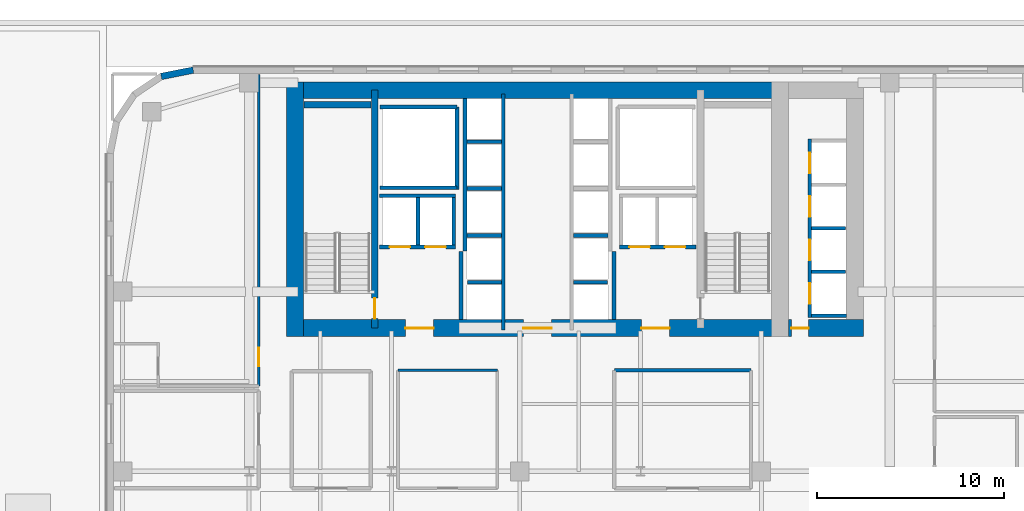
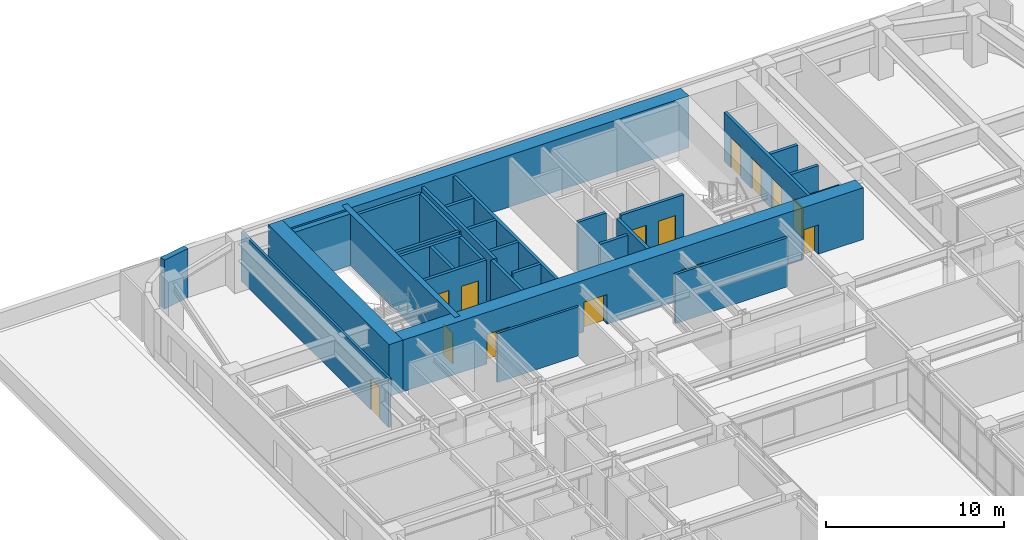
# One storey, part 17 of 25: 32 walls, 14 doors, 14 openings.
"""IFC4 building model written with IfcOpenShell, lengths in metres."""

from ifc_helpers import new_model, si_unit, direction, frame, frame_2d, origin, place, context, subcontext, project, spatial, rectangle, extrude, source, transform, mapped, material, layer, layer_set, type_object, type_shapes, element, fill, save


model = new_model("IFC4")

# Units and contexts
model_context = context("Model", 3, precision=1e-05, world=origin(), true_north=direction((0.0, 1.0)))
body_context = subcontext(model_context, "Body", "Model", "MODEL_VIEW")
ifc_project = project(units=[si_unit("LENGTHUNIT", "METRE"), si_unit("AREAUNIT", "SQUARE_METRE"), si_unit("VOLUMEUNIT", "CUBIC_METRE"), si_unit("PLANEANGLEUNIT", "RADIAN"), si_unit("MASSUNIT", "GRAM", prefix="KILO")], contexts=[model_context])

# Site, building, storey
site_placement = place(None, origin())
site = spatial("IfcSite", under=ifc_project, at=site_placement, CompositionType="ELEMENT")
building_placement = place(site_placement, origin())
building = spatial("IfcBuilding", under=site, at=building_placement, Name="Tolvann Quenvar Hotel", CompositionType="ELEMENT")
storey_placement = place(building_placement, frame((0.0, 0.0, 32.0)))
storey = spatial("IfcBuildingStorey", under=building, at=storey_placement, Name="L06", CompositionType="ELEMENT", Elevation=32.0)

# Wall, openings, doors
ifc_material_1 = material(Name="Concrete S80 (80 MPa)", Category="concrete")
ifc_layer_1 = layer(ifc_material_1, 0.89990234375)
ifc_layer_set_1 = layer_set([ifc_layer_1], Name="Concrete S80 (80 MPa)")
wall_type_1 = type_object("IfcWallType", Name="WALL_CORE_900", PredefinedType="SHEAR", material=ifc_layer_set_1)
wall_1_placement = place(storey_placement, frame((9.60009765625, 32.050048828125, 0.0), z_axis=(0.0, 0.0, 1.0), x_axis=(1.0, 0.0, 0.0)))
wall_1 = element("IfcWall", 1, at=wall_1_placement, inside=storey, type_object=wall_type_1, Name="Rear Core S Shear Wall (L06)", PredefinedType="SHEAR", context=body_context, shape_type="SweptSolid", body=[
    extrude(rectangle(XDim=26.7998046875, YDim=0.89990234375, at=frame_2d((13.39990234375, 0.0))), origin(), (0.0, 0.0, 1.0), 3.550048828125),
])
opening_1_placement = place(wall_1_placement, frame((7.85009765625, 0.0, 0.0), z_axis=(0.0, 0.0, 1.0), x_axis=(-1.0, 0.0, 0.0)))
opening_1 = element("IfcOpeningElement", 2, at=opening_1_placement, cuts=wall_1, Name="Opening FD-60D", PredefinedType="OPENING", context=body_context, shape_type="SweptSolid", body=[
    extrude(rectangle(XDim=1.5, YDim=2.0400390625, at=frame_2d((0.75, 1.02001953125))), frame((0.0, 0.4599609375, 0.0), z_axis=(0.0, -1.0, 0.0), x_axis=(1.0, 0.0, 0.0)), (0.0, 0.0, 1.0), 0.919921875),
])
opening_2_placement = place(wall_1_placement, frame((14.14990234375, 0.0, 0.0), z_axis=(0.0, 0.0, 1.0), x_axis=(-1.0, 0.0, 0.0)))
opening_2 = element("IfcOpeningElement", 3, at=opening_2_placement, cuts=wall_1, Name="Opening FD-60D", PredefinedType="OPENING", context=body_context, shape_type="SweptSolid", body=[
    extrude(rectangle(XDim=1.5, YDim=2.0400390625, at=frame_2d((0.75, 1.02001953125))), frame((0.0, 0.4599609375, 0.0), z_axis=(0.0, -1.0, 0.0), x_axis=(1.0, 0.0, 0.0)), (0.0, 0.0, 1.0), 0.919921875),
])
opening_3_placement = place(wall_1_placement, frame((20.449951171875, 0.0, 0.0), z_axis=(0.0, 0.0, 1.0), x_axis=(-1.0, 0.0, 0.0)))
opening_3 = element("IfcOpeningElement", 4, at=opening_3_placement, cuts=wall_1, Name="Opening FD-60D", PredefinedType="OPENING", context=body_context, shape_type="SweptSolid", body=[
    extrude(rectangle(XDim=1.5, YDim=2.0400390625, at=frame_2d((0.75, 1.02001953125))), frame((0.0, 0.4599609375, 0.0), z_axis=(0.0, -1.0, 0.0), x_axis=(1.0, 0.0, 0.0)), (0.0, 0.0, 1.0), 0.919921875),
])
ifc_material_2 = material(Name="Solid-core American oak acoustic fire door leaf in steel frame", Category="steel")
door_type_1 = type_object("IfcDoorType", Name="DOOR_FIRE_LOBBY_1500", OperationType="NOTDEFINED", PredefinedType="DOOR", material=ifc_material_2)
shared_shape_1 = source(origin(), body_context, "Body", "SweptSolid", [
    extrude(rectangle(XDim=1.5, YDim=2.0400390625, at=frame_2d((0.75, 1.02001953125))), frame((0.0, 0.02490234375, 0.0), z_axis=(0.0, -1.0, 0.0), x_axis=(1.0, 0.0, 0.0)), (0.0, 0.0, 1.0), 0.050048828125),
])
type_shapes(door_type_1, [shared_shape_1])
door_1_placement = place(opening_1_placement, origin())
door_1 = element("IfcDoor", 5, at=door_1_placement, inside=storey, type_object=door_type_1, Name="Core Lobby Fire Door FFW (L06)", OperationType="DOUBLE_DOOR_SINGLE_SWING", OverallHeight=2.0400390625, OverallWidth=1.5, PredefinedType="DOOR", context=body_context, shape_type="MappedRepresentation", body=[
    mapped(shared_shape_1, transform((0.0, 0.0, 0.0), x_axis=(1.0, 0.0, 0.0), y_axis=(0.0, 1.0, 0.0), z_axis=(0.0, 0.0, 1.0), scale=1.0)),
])
fill(opening_1, door_1)
door_2_placement = place(opening_2_placement, origin())
door_2 = element("IfcDoor", 6, at=door_2_placement, inside=storey, type_object=door_type_1, Name="Core Lobby Fire Door CLOB (L06)", OperationType="DOUBLE_DOOR_SINGLE_SWING", OverallHeight=2.0400390625, OverallWidth=1.5, PredefinedType="DOOR", context=body_context, shape_type="MappedRepresentation", body=[
    mapped(shared_shape_1, transform((0.0, 0.0, 0.0), x_axis=(1.0, 0.0, 0.0), y_axis=(0.0, 1.0, 0.0), z_axis=(0.0, 0.0, 1.0), scale=1.0)),
])
fill(opening_2, door_2)
door_3_placement = place(opening_3_placement, origin())
door_3 = element("IfcDoor", 7, at=door_3_placement, inside=storey, type_object=door_type_1, Name="Core Lobby Fire Door FFE (L06)", OperationType="DOUBLE_DOOR_SINGLE_SWING", OverallHeight=2.0400390625, OverallWidth=1.5, PredefinedType="DOOR", context=body_context, shape_type="MappedRepresentation", body=[
    mapped(shared_shape_1, transform((0.0, 0.0, 0.0), x_axis=(1.0, 0.0, 0.0), y_axis=(0.0, 1.0, 0.0), z_axis=(0.0, 0.0, 1.0), scale=1.0)),
])
fill(opening_3, door_3)

# Walls
wall_2_placement = place(storey_placement, frame((9.60009765625, 44.75, 0.0), z_axis=(0.0, 0.0, 1.0), x_axis=(1.0, 0.0, 0.0)))
element("IfcWall", 8, at=wall_2_placement, inside=storey, type_object=wall_type_1, Name="Rear Core N Shear Wall (L06)", PredefinedType="SHEAR", context=body_context, shape_type="SweptSolid", body=[
    extrude(rectangle(XDim=26.7998046875, YDim=0.89990234375, at=frame_2d((13.39990234375, 0.0))), origin(), (0.0, 0.0, 1.0), 3.550048828125),
])
wall_3_placement = place(storey_placement, frame((10.050048828125, 31.60009765625, 0.0), z_axis=(0.0, 0.0, 1.0), x_axis=(0.0, 1.0, 0.0)))
element("IfcWall", 9, at=wall_3_placement, inside=storey, type_object=wall_type_1, Name="Rear Core W Shear Wall (L06)", PredefinedType="SHEAR", context=body_context, shape_type="SweptSolid", body=[
    extrude(rectangle(XDim=13.599853515625, YDim=0.89990234375, at=frame_2d((6.7998046875, 0.0))), origin(), (0.0, 0.0, 1.0), 3.550048828125),
])

# Wall, opening, door
wall_4_placement = place(storey_placement, frame((36.39990234375, 32.050048828125, 0.0), z_axis=(0.0, 0.0, 1.0), x_axis=(1.0, 0.0, 0.0)))
wall_4 = element("IfcWall", 10, at=wall_4_placement, inside=storey, type_object=wall_type_1, Name="Core East Annex Shear Wall ANN-S (L06)", PredefinedType="SHEAR", context=body_context, shape_type="SweptSolid", body=[
    extrude(rectangle(XDim=4.0, YDim=0.89990234375, at=frame_2d((2.0, 0.0))), origin(), (0.0, 0.0, 1.0), 3.550048828125),
])
opening_4_placement = place(wall_4_placement, frame((1.06982421875, 0.0, 0.0), z_axis=(0.0, 0.0, 1.0), x_axis=(-1.0, 0.0, 0.0)))
opening_4 = element("IfcOpeningElement", 11, at=opening_4_placement, cuts=wall_4, Name="Opening WD-01", PredefinedType="OPENING", context=body_context, shape_type="SweptSolid", body=[
    extrude(rectangle(XDim=0.919921875, YDim=2.010009765625, at=frame_2d((0.4599609375, 1.0048828125))), frame((0.0, 0.4599609375, 0.0), z_axis=(0.0, -1.0, 0.0), x_axis=(1.0, 0.0, 0.0)), (0.0, 0.0, 1.0), 0.919921875),
])
door_type_2 = type_object("IfcDoorType", Name="DOOR_WC_920", OperationType="NOTDEFINED", PredefinedType="DOOR", material=ifc_material_2)
shared_shape_2 = source(origin(), body_context, "Body", "SweptSolid", [
    extrude(rectangle(XDim=0.919921875, YDim=2.010009765625, at=frame_2d((0.4599609375, 1.0048828125))), frame((0.0, 0.02490234375, 0.0), z_axis=(0.0, -1.0, 0.0), x_axis=(1.0, 0.0, 0.0)), (0.0, 0.0, 1.0), 0.050048828125),
])
type_shapes(door_type_2, [shared_shape_2])
door_4_placement = place(opening_4_placement, origin())
door_4 = element("IfcDoor", 12, at=door_4_placement, inside=storey, type_object=door_type_2, Name="Low-Rise Lift Lobby Fire Door (L06)", OperationType="SINGLE_SWING_RIGHT", OverallHeight=2.010009765625, OverallWidth=0.919921875, PredefinedType="DOOR", context=body_context, shape_type="MappedRepresentation", body=[
    mapped(shared_shape_2, transform((0.0, 0.0, 0.0), x_axis=(1.0, 0.0, 0.0), y_axis=(0.0, 1.0, 0.0), z_axis=(0.0, 0.0, 1.0), scale=1.0)),
])
fill(opening_4, door_4)

ifc_material_3 = material(Name="Concrete S65 (65 MPa)", Category="concrete")
ifc_layer_2 = layer(ifc_material_3, 0.35009765625)
ifc_layer_set_2 = layer_set([ifc_layer_2], Name="Concrete S65 (65 MPa)")
wall_type_2 = type_object("IfcWallType", Name="WALL_CORE_INT_350", PredefinedType="SHEAR", material=ifc_layer_set_2)
wall_5_placement = place(storey_placement, frame((14.300048828125, 32.050048828125, 0.0), z_axis=(0.0, 0.0, 1.0), x_axis=(0.0, 1.0, 0.0)))
wall_5 = element("IfcWall", 13, at=wall_5_placement, inside=storey, type_object=wall_type_2, Name="Core Internal Web Shear Wall WEB-W (L06)", PredefinedType="SHEAR", context=body_context, shape_type="SweptSolid", body=[
    extrude(rectangle(XDim=12.699951171875, YDim=0.35009765625, at=frame_2d((6.35009765625, 0.0))), origin(), (0.0, 0.0, 1.0), 3.550048828125),
])
opening_5_placement = place(wall_5_placement, frame((0.5, 0.0, 0.0)))
opening_5 = element("IfcOpeningElement", 14, at=opening_5_placement, cuts=wall_5, Name="Opening FD-120", PredefinedType="OPENING", context=body_context, shape_type="SweptSolid", body=[
    extrude(rectangle(XDim=1.10009765625, YDim=2.1201171875, at=frame_2d((0.550048828125, 1.06005859375))), frame((0.0, 0.18505859375, 0.0), z_axis=(0.0, -1.0, 0.0), x_axis=(1.0, 0.0, 0.0)), (0.0, 0.0, 1.0), 0.3701171875),
])
ifc_material_4 = material(Name="Pressed galvanised steel fire-rated door set", Category="steel")
door_type_3 = type_object("IfcDoorType", Name="DOOR_FIRE_STAIR_1100", OperationType="NOTDEFINED", PredefinedType="DOOR", material=ifc_material_4)
shared_shape_3 = source(origin(), body_context, "Body", "SweptSolid", [
    extrude(rectangle(XDim=1.10009765625, YDim=2.1201171875, at=frame_2d((0.550048828125, 1.06005859375))), frame((0.0, 0.02490234375, 0.0), z_axis=(0.0, -1.0, 0.0), x_axis=(1.0, 0.0, 0.0)), (0.0, 0.0, 1.0), 0.050048828125),
])
type_shapes(door_type_3, [shared_shape_3])
door_5_placement = place(opening_5_placement, origin())
door_5 = element("IfcDoor", 15, at=door_5_placement, inside=storey, type_object=door_type_3, Name="Exit Stair ST-C1 Fire Door (L06)", OperationType="SINGLE_SWING_LEFT", OverallHeight=2.1201171875, OverallWidth=1.10009765625, PredefinedType="DOOR", context=body_context, shape_type="MappedRepresentation", body=[
    mapped(shared_shape_3, transform((0.0, 0.0, 0.0), x_axis=(1.0, 0.0, 0.0), y_axis=(0.0, 1.0, 0.0), z_axis=(0.0, 0.0, 1.0), scale=1.0)),
])
fill(opening_5, door_5)

# Walls
wall_6_placement = place(storey_placement, frame((10.52001953125, 43.97509765625, 0.0), z_axis=(0.0, 0.0, 1.0), x_axis=(1.0, 0.0, 0.0)))
element("IfcWall", 16, at=wall_6_placement, inside=storey, type_object=wall_type_2, Name="Core Stair North Closing Shear Wall STC1-N (L06)", PredefinedType="SHEAR", context=body_context, shape_type="SweptSolid", body=[
    extrude(rectangle(XDim=3.60009765625, YDim=0.35009765625, at=frame_2d((1.800048828125, 0.0))), origin(), (0.0, 0.0, 1.0), 3.550048828125),
])
ifc_material_5 = material(Name="Kiln-fired red and buff architectural clay brickwork and terracotta masonry", Category="masonry")
ifc_layer_3 = layer(ifc_material_5, 0.35009765625)
ifc_layer_set_3 = layer_set([ifc_layer_3], Name="Kiln-fired red and buff architectural clay brickwork and terracotta masonry")
wall_type_3 = type_object("IfcWallType", Name="WALL_EXT_BRICK_350", PredefinedType="SOLIDWALL", material=ifc_layer_set_3)
wall_7_placement = place(storey_placement, frame((4.6171875, 45.824951171875, 0.0), z_axis=(0.0, 0.0, 1.0), x_axis=(-0.980800971659, -0.195011420161, 0.0)))
element("IfcWall", 17, at=wall_7_placement, inside=storey, type_object=wall_type_3, Name="Exterior Chicago Brick Wall L06-E19", PredefinedType="SOLIDWALL", context=body_context, shape_type="SweptSolid", body=[
    extrude(rectangle(XDim=1.74267578125, YDim=0.35009765625, at=frame_2d((0.871337890625, 0.0))), origin(), (0.0, 0.0, 1.0), 3.3701171875),
])
ifc_material_6 = material(Name="Acoustic twin-stud fire-rated gypsum plasterboard partition")
ifc_layer_4 = layer(ifc_material_6, 0.179931640625)
ifc_layer_set_4 = layer_set([ifc_layer_4], Name="Acoustic twin-stud fire-rated gypsum plasterboard partition")
wall_type_4 = type_object("IfcWallType", Name="WALL_PART_ACOUSTIC_180", PredefinedType="PARTITIONING", material=ifc_layer_set_4)
wall_8_placement = place(storey_placement, frame((27.10009765625, 29.800048828125, 0.0), z_axis=(0.0, 0.0, 1.0), x_axis=(1.0, 0.0, 0.0)))
element("IfcWall", 18, at=wall_8_placement, inside=storey, type_object=wall_type_4, Name="Interior Partition PT-SPC-L06-MSP-C-N", PredefinedType="PARTITIONING", context=body_context, shape_type="SweptSolid", body=[
    extrude(rectangle(XDim=7.2998046875, YDim=0.179931640625, at=frame_2d((3.64990234375, 0.0))), origin(), (0.0, 0.0, 1.0), 3.3701171875),
])

# Wall, opening, door
ifc_layer_5 = layer(ifc_material_6, 0.14990234375)
ifc_layer_set_5 = layer_set([ifc_layer_5], Name="Acoustic twin-stud fire-rated gypsum plasterboard partition")
wall_type_5 = type_object("IfcWallType", Name="WALL_PART_SUITE_150", PredefinedType="PARTITIONING", material=ifc_layer_set_5)
wall_9_placement = place(storey_placement, frame((8.1201171875, 28.9599609375, 0.0), z_axis=(0.0, 0.0, 1.0), x_axis=(0.0, 1.0, 0.0)))
wall_9 = element("IfcWall", 19, at=wall_9_placement, inside=storey, type_object=wall_type_5, Name="Interior Partition PT-SPC-L06-RM-NW01-ENT", PredefinedType="PARTITIONING", context=body_context, shape_type="SweptSolid", body=[
    extrude(rectangle(XDim=16.635009765625, YDim=0.14990234375, at=frame_2d((8.3173828125, 0.0))), origin(), (0.0, 0.0, 1.0), 3.3701171875),
])
opening_6_placement = place(wall_9_placement, frame((1.054931640625, 0.0, 0.0)))
opening_6 = element("IfcOpeningElement", 20, at=opening_6_placement, cuts=wall_9, Name="Opening SD-01", PredefinedType="OPENING", context=body_context, shape_type="SweptSolid", body=[
    extrude(rectangle(XDim=0.97998046875, YDim=2.1201171875, at=frame_2d((0.489990234375, 1.06005859375))), frame((0.0, 0.0849609375, 0.0), z_axis=(0.0, -1.0, 0.0), x_axis=(1.0, 0.0, 0.0)), (0.0, 0.0, 1.0), 0.169921875),
])
door_type_4 = type_object("IfcDoorType", Name="DOOR_SUITE_980", OperationType="NOTDEFINED", PredefinedType="DOOR", material=ifc_material_2)
shared_shape_4 = source(origin(), body_context, "Body", "SweptSolid", [
    extrude(rectangle(XDim=0.97998046875, YDim=2.1201171875, at=frame_2d((0.489990234375, 1.06005859375))), frame((0.0, 0.02490234375, 0.0), z_axis=(0.0, -1.0, 0.0), x_axis=(1.0, 0.0, 0.0)), (0.0, 0.0, 1.0), 0.050048828125),
])
type_shapes(door_type_4, [shared_shape_4])
door_6_placement = place(opening_6_placement, origin())
door_6 = element("IfcDoor", 21, at=door_6_placement, inside=storey, type_object=door_type_4, Name="Interior Door DOOR-SPC-L06-RM-NW01", OperationType="SINGLE_SWING_RIGHT", OverallHeight=2.1201171875, OverallWidth=0.97998046875, PredefinedType="DOOR", context=body_context, shape_type="MappedRepresentation", body=[
    mapped(shared_shape_4, transform((0.0, 0.0, 0.0), x_axis=(1.0, 0.0, 0.0), y_axis=(0.0, 1.0, 0.0), z_axis=(0.0, 0.0, 1.0), scale=1.0)),
])
fill(opening_6, door_6)

# Walls
wall_10_placement = place(storey_placement, frame((15.550048828125, 29.800048828125, 0.0), z_axis=(0.0, 0.0, 1.0), x_axis=(1.0, 0.0, 0.0)))
element("IfcWall", 22, at=wall_10_placement, inside=storey, type_object=wall_type_5, Name="Interior Partition PT-SPC-L06-MSP-N-N", PredefinedType="PARTITIONING", context=body_context, shape_type="SweptSolid", body=[
    extrude(rectangle(XDim=5.300048828125, YDim=0.14990234375, at=frame_2d((2.64990234375, 0.0))), origin(), (0.0, 0.0, 1.0), 3.3701171875),
])
ifc_material_7 = material(Name="Concrete N40 (40 MPa)", Category="concrete")
ifc_layer_6 = layer(ifc_material_7, 0.199951171875)
ifc_layer_set_6 = layer_set([ifc_layer_6], Name="Concrete N40 (40 MPa)")
wall_type_6 = type_object("IfcWallType", Name="WALL_SHAFT_200", PredefinedType="SOLIDWALL", material=ifc_layer_set_6)
wall_11_placement = place(storey_placement, frame((18.699951171875, 39.449951171875, 0.0), z_axis=(0.0, 0.0, 1.0), x_axis=(0.0, 1.0, 0.0)))
element("IfcWall", 23, at=wall_11_placement, inside=storey, type_object=wall_type_6, Name="Service Riser W Shaft Wall IN (L06)", PredefinedType="SOLIDWALL", context=body_context, shape_type="SweptSolid", body=[
    extrude(rectangle(XDim=4.400146484375, YDim=0.199951171875, at=frame_2d((2.2001953125, 0.0))), origin(), (0.0, 0.0, 1.0), 3.3701171875),
])
for number, where, z_axis, x_axis, name in (
    (24, (14.60009765625, 39.550048828125, 0.0), (0.0, 0.0, 1.0), (1.0, 0.0, 0.0), "Service Riser W Shaft Wall S (L06)"),
    (25, (14.60009765625, 43.85009765625, 0.0), (0.0, 0.0, 1.0), (1.0, 0.0, 0.0), "Service Riser W Shaft Wall N (L06)"),
):
    element("IfcWall", number, at=place(storey_placement, frame(where, z_axis=z_axis, x_axis=x_axis)), inside=storey, type_object=wall_type_6, Name=name, PredefinedType="SOLIDWALL", context=body_context, shape_type="SweptSolid", body=[
        extrude(rectangle(XDim=4.099853515625, YDim=0.199951171875, at=frame_2d((2.0498046875, 0.0))), origin(), (0.0, 0.0, 1.0), 3.3701171875),
    ])
for number, where, z_axis, x_axis, name in (
    (26, (18.919921875, 32.50390625, 0.0), (0.0, 0.0, 1.0), (0.0, 1.0, 0.0), "Firefighting Lobby W Inner Fire Wall (L06)"),
    (27, (27.080078125, 32.50390625, 0.0), (0.0, 0.0, 1.0), (0.0, 1.0, 0.0), "Firefighting Lobby E Inner Fire Wall (L06)"),
):
    element("IfcWall", number, at=place(storey_placement, frame(where, z_axis=z_axis, x_axis=x_axis)), inside=storey, type_object=wall_type_6, Name=name, PredefinedType="SOLIDWALL", context=body_context, shape_type="SweptSolid", body=[
        extrude(rectangle(XDim=3.64599609375, YDim=0.199951171875, at=frame_2d((1.822998046875, 0.0))), origin(), (0.0, 0.0, 1.0), 3.3701171875),
    ])
wall_12_placement = place(storey_placement, frame((21.169921875, 31.9599609375, 0.0), z_axis=(0.0, 0.0, 1.0), x_axis=(0.0, 1.0, 0.0)))
element("IfcWall", 28, at=wall_12_placement, inside=storey, type_object=wall_type_6, Name="Lift Bank E21.1C1 Hoistway Front Wall (L06)", PredefinedType="SOLIDWALL", context=body_context, shape_type="SweptSolid", body=[
    extrude(rectangle(XDim=12.580078125, YDim=0.199951171875, at=frame_2d((6.2900390625, 0.0))), origin(), (0.0, 0.0, 1.0), 3.3701171875),
])
wall_13_placement = place(storey_placement, frame((19.1298828125, 36.159912109375, 0.0), z_axis=(0.0, 0.0, 1.0), x_axis=(0.0, 1.0, 0.0)))
element("IfcWall", 29, at=wall_13_placement, inside=storey, type_object=wall_type_6, Name="Lift Bank E21.1C1 Hoistway Rear Wall (L06)", PredefinedType="SOLIDWALL", context=body_context, shape_type="SweptSolid", body=[
    extrude(rectangle(XDim=8.135986328125, YDim=0.199951171875, at=frame_2d((4.06787109375, 0.0))), origin(), (0.0, 0.0, 1.0), 3.3701171875),
])
wall_14_placement = place(storey_placement, frame((19.27001953125, 34.5, 0.0), z_axis=(0.0, 0.0, 1.0), x_axis=(1.0, 0.0, 0.0)))
element("IfcWall", 30, at=wall_14_placement, inside=storey, type_object=wall_type_6, Name="Lift Bank E21.1C1 Divider Wall 1 (L06)", PredefinedType="SOLIDWALL", context=body_context, shape_type="SweptSolid", body=[
    extrude(rectangle(XDim=1.800048828125, YDim=0.199951171875, at=frame_2d((0.89990234375, 0.0))), origin(), (0.0, 0.0, 1.0), 3.3701171875),
])
for number, where, z_axis, x_axis, name in (
    (31, (19.22998046875, 37.0, 0.0), (0.0, 0.0, 1.0), (1.0, 0.0, 0.0), "Lift Bank E21.1C1 Divider Wall 2 (L06)"),
    (32, (19.22998046875, 39.5, 0.0), (0.0, 0.0, 1.0), (1.0, 0.0, 0.0), "Lift Bank E21.1C1 Divider Wall 3 (L06)"),
    (33, (19.22998046875, 42.0, 0.0), (0.0, 0.0, 1.0), (1.0, 0.0, 0.0), "Lift Bank E21.1C1 Divider Wall 4 (L06)"),
):
    element("IfcWall", number, at=place(storey_placement, frame(where, z_axis=z_axis, x_axis=x_axis)), inside=storey, type_object=wall_type_6, Name=name, PredefinedType="SOLIDWALL", context=body_context, shape_type="SweptSolid", body=[
        extrude(rectangle(XDim=1.840087890625, YDim=0.199951171875, at=frame_2d((0.919921875, 0.0))), origin(), (0.0, 0.0, 1.0), 3.3701171875),
    ])

# Wall, openings, doors
wall_15_placement = place(storey_placement, frame((27.375, 36.3798828125, 0.0), z_axis=(0.0, 0.0, 1.0), x_axis=(1.0, 0.0, 0.0)))
wall_15 = element("IfcWall", 34, at=wall_15_placement, inside=storey, type_object=wall_type_6, Name="Lift Bank SEC1 Hoistway Front Wall (L06)", PredefinedType="SOLIDWALL", context=body_context, shape_type="SweptSolid", body=[
    extrude(rectangle(XDim=4.074951171875, YDim=0.199951171875, at=frame_2d((2.03759765625, 0.0))), origin(), (0.0, 0.0, 1.0), 3.3701171875),
])
opening_7_placement = place(wall_15_placement, frame((0.52490234375, 0.0, 0.0)))
opening_7 = element("IfcOpeningElement", 35, at=opening_7_placement, cuts=wall_15, Name="Opening LD-01", PredefinedType="OPENING", context=body_context, shape_type="SweptSolid", body=[
    extrude(rectangle(XDim=1.10009765625, YDim=2.1201171875, at=frame_2d((0.550048828125, 1.06005859375))), frame((0.0, 0.10986328125, 0.0), z_axis=(0.0, -1.0, 0.0), x_axis=(1.0, 0.0, 0.0)), (0.0, 0.0, 1.0), 0.219970703125),
])
opening_8_placement = place(wall_15_placement, frame((2.425048828125, 0.0, 0.0)))
opening_8 = element("IfcOpeningElement", 36, at=opening_8_placement, cuts=wall_15, Name="Opening LD-01", PredefinedType="OPENING", context=body_context, shape_type="SweptSolid", body=[
    extrude(rectangle(XDim=1.10009765625, YDim=2.1201171875, at=frame_2d((0.550048828125, 1.06005859375))), frame((0.0, 0.10986328125, 0.0), z_axis=(0.0, -1.0, 0.0), x_axis=(1.0, 0.0, 0.0)), (0.0, 0.0, 1.0), 0.219970703125),
])
ifc_material_8 = material(Name="Brushed 316 stainless steel automatic sliding lift landing door", Category="steel")
door_type_5 = type_object("IfcDoorType", Name="DOOR_LIFT_SLIDE_1100", OperationType="NOTDEFINED", PredefinedType="DOOR", material=ifc_material_8)
shared_shape_5 = source(origin(), body_context, "Body", "SweptSolid", [
    extrude(rectangle(XDim=1.10009765625, YDim=2.1201171875, at=frame_2d((0.550048828125, 1.06005859375))), frame((0.0, 0.02490234375, 0.0), z_axis=(0.0, -1.0, 0.0), x_axis=(1.0, 0.0, 0.0)), (0.0, 0.0, 1.0), 0.050048828125),
])
type_shapes(door_type_5, [shared_shape_5])
door_7_placement = place(opening_7_placement, origin())
door_7 = element("IfcDoor", 37, at=door_7_placement, inside=storey, type_object=door_type_5, Name="Lift SV-2 Sliding Landing Door (L06)", OperationType="SLIDING_TO_LEFT", OverallHeight=2.1201171875, OverallWidth=1.10009765625, PredefinedType="DOOR", context=body_context, shape_type="MappedRepresentation", body=[
    mapped(shared_shape_5, transform((0.0, 0.0, 0.0), x_axis=(1.0, 0.0, 0.0), y_axis=(0.0, 1.0, 0.0), z_axis=(0.0, 0.0, 1.0), scale=1.0)),
])
fill(opening_7, door_7)
door_8_placement = place(opening_8_placement, origin())
door_8 = element("IfcDoor", 38, at=door_8_placement, inside=storey, type_object=door_type_5, Name="Lift FF-2 Sliding Landing Door (L06)", OperationType="SLIDING_TO_RIGHT", OverallHeight=2.1201171875, OverallWidth=1.10009765625, PredefinedType="DOOR", context=body_context, shape_type="MappedRepresentation", body=[
    mapped(shared_shape_5, transform((0.0, 0.0, 0.0), x_axis=(1.0, 0.0, 0.0), y_axis=(0.0, 1.0, 0.0), z_axis=(0.0, 0.0, 1.0), scale=1.0)),
])
fill(opening_8, door_8)

wall_16_placement = place(storey_placement, frame((14.550048828125, 36.3798828125, 0.0), z_axis=(0.0, 0.0, 1.0), x_axis=(1.0, 0.0, 0.0)))
wall_16 = element("IfcWall", 39, at=wall_16_placement, inside=storey, type_object=wall_type_6, Name="Lift Bank SWC1 Hoistway Front Wall (L06)", PredefinedType="SOLIDWALL", context=body_context, shape_type="SweptSolid", body=[
    extrude(rectangle(XDim=4.074951171875, YDim=0.199951171875, at=frame_2d((2.03759765625, 0.0))), origin(), (0.0, 0.0, 1.0), 3.3701171875),
])
opening_9_placement = place(wall_16_placement, frame((0.550048828125, 0.0, 0.0)))
opening_9 = element("IfcOpeningElement", 40, at=opening_9_placement, cuts=wall_16, Name="Opening LD-01", PredefinedType="OPENING", context=body_context, shape_type="SweptSolid", body=[
    extrude(rectangle(XDim=1.10009765625, YDim=2.1201171875, at=frame_2d((0.550048828125, 1.06005859375))), frame((0.0, 0.10986328125, 0.0), z_axis=(0.0, -1.0, 0.0), x_axis=(1.0, 0.0, 0.0)), (0.0, 0.0, 1.0), 0.219970703125),
])
opening_10_placement = place(wall_16_placement, frame((2.449951171875, 0.0, 0.0)))
opening_10 = element("IfcOpeningElement", 41, at=opening_10_placement, cuts=wall_16, Name="Opening LD-01", PredefinedType="OPENING", context=body_context, shape_type="SweptSolid", body=[
    extrude(rectangle(XDim=1.10009765625, YDim=2.1201171875, at=frame_2d((0.550048828125, 1.06005859375))), frame((0.0, 0.10986328125, 0.0), z_axis=(0.0, -1.0, 0.0), x_axis=(1.0, 0.0, 0.0)), (0.0, 0.0, 1.0), 0.219970703125),
])
door_9_placement = place(opening_9_placement, origin())
door_9 = element("IfcDoor", 42, at=door_9_placement, inside=storey, type_object=door_type_5, Name="Lift FF-1 Sliding Landing Door (L06)", OperationType="SLIDING_TO_LEFT", OverallHeight=2.1201171875, OverallWidth=1.10009765625, PredefinedType="DOOR", context=body_context, shape_type="MappedRepresentation", body=[
    mapped(shared_shape_5, transform((0.0, 0.0, 0.0), x_axis=(1.0, 0.0, 0.0), y_axis=(0.0, 1.0, 0.0), z_axis=(0.0, 0.0, 1.0), scale=1.0)),
])
fill(opening_9, door_9)
door_10_placement = place(opening_10_placement, origin())
door_10 = element("IfcDoor", 43, at=door_10_placement, inside=storey, type_object=door_type_5, Name="Lift SV-1 Sliding Landing Door (L06)", OperationType="SLIDING_TO_RIGHT", OverallHeight=2.1201171875, OverallWidth=1.10009765625, PredefinedType="DOOR", context=body_context, shape_type="MappedRepresentation", body=[
    mapped(shared_shape_5, transform((0.0, 0.0, 0.0), x_axis=(1.0, 0.0, 0.0), y_axis=(0.0, 1.0, 0.0), z_axis=(0.0, 0.0, 1.0), scale=1.0)),
])
fill(opening_10, door_10)

# Walls
wall_17_placement = place(storey_placement, frame((14.550048828125, 39.1201171875, 0.0), z_axis=(0.0, 0.0, 1.0), x_axis=(1.0, 0.0, 0.0)))
element("IfcWall", 44, at=wall_17_placement, inside=storey, type_object=wall_type_6, Name="Lift Bank SWC1 Hoistway Rear Wall (L06)", PredefinedType="SOLIDWALL", context=body_context, shape_type="SweptSolid", body=[
    extrude(rectangle(XDim=4.074951171875, YDim=0.199951171875, at=frame_2d((2.03759765625, 0.0))), origin(), (0.0, 0.0, 1.0), 3.3701171875),
])
for number, where, z_axis, x_axis, name in (
    (45, (18.52490234375, 36.47998046875, 0.0), (0.0, 0.0, 1.0), (0.0, 1.0, 0.0), "Lift Bank SWC1 Hoistway Cheek Wall 2 (L06)"),
    (46, (16.612548828125, 36.47998046875, 0.0), (0.0, 0.0, 1.0), (0.0, 1.0, 0.0), "Lift Bank SWC1 Divider Wall 1 (L06)"),
):
    element("IfcWall", number, at=place(storey_placement, frame(where, z_axis=z_axis, x_axis=x_axis)), inside=storey, type_object=wall_type_6, Name=name, PredefinedType="SOLIDWALL", context=body_context, shape_type="SweptSolid", body=[
        extrude(rectangle(XDim=2.5400390625, YDim=0.199951171875, at=frame_2d((1.27001953125, 0.0))), origin(), (0.0, 0.0, 1.0), 3.3701171875),
    ])
wall_18_placement = place(storey_placement, frame((24.929931640625, 34.5, 0.0), z_axis=(0.0, 0.0, 1.0), x_axis=(1.0, 0.0, 0.0)))
element("IfcWall", 47, at=wall_18_placement, inside=storey, type_object=wall_type_6, Name="Lift Bank W24.9C1 Divider Wall 1 (L06)", PredefinedType="SOLIDWALL", context=body_context, shape_type="SweptSolid", body=[
    extrude(rectangle(XDim=1.800048828125, YDim=0.199951171875, at=frame_2d((0.89990234375, 0.0))), origin(), (0.0, 0.0, 1.0), 3.3701171875),
])
wall_19_placement = place(storey_placement, frame((24.929931640625, 37.0, 0.0), z_axis=(0.0, 0.0, 1.0), x_axis=(1.0, 0.0, 0.0)))
element("IfcWall", 48, at=wall_19_placement, inside=storey, type_object=wall_type_6, Name="Lift Bank W24.9C1 Divider Wall 2 (L06)", PredefinedType="SOLIDWALL", context=body_context, shape_type="SweptSolid", body=[
    extrude(rectangle(XDim=1.840087890625, YDim=0.199951171875, at=frame_2d((0.919921875, 0.0))), origin(), (0.0, 0.0, 1.0), 3.3701171875),
])

# Wall, openings, doors
wall_20_placement = place(storey_placement, frame((37.530029296875, 32.610107421875, 0.0), z_axis=(0.0, 0.0, 1.0), x_axis=(0.0, 1.0, 0.0)))
wall_20 = element("IfcWall", 49, at=wall_20_placement, inside=storey, type_object=wall_type_6, Name="Lift Bank W37.6C1 Hoistway Front Wall (L06)", PredefinedType="SOLIDWALL", context=body_context, shape_type="SweptSolid", body=[
    extrude(rectangle(XDim=9.539794921875, YDim=0.199951171875, at=frame_2d((4.77001953125, 0.0))), origin(), (0.0, 0.0, 1.0), 3.3701171875),
])
opening_11_placement = place(wall_20_placement, frame((0.739990234375, 0.0, 0.0)))
opening_11 = element("IfcOpeningElement", 50, at=opening_11_placement, cuts=wall_20, Name="Opening LD-01", PredefinedType="OPENING", context=body_context, shape_type="SweptSolid", body=[
    extrude(rectangle(XDim=1.10009765625, YDim=2.1201171875, at=frame_2d((0.550048828125, 1.06005859375))), frame((0.0, 0.10986328125, 0.0), z_axis=(0.0, -1.0, 0.0), x_axis=(1.0, 0.0, 0.0)), (0.0, 0.0, 1.0), 0.219970703125),
])
opening_12_placement = place(wall_20_placement, frame((3.06005859375, 0.0, 0.0)))
opening_12 = element("IfcOpeningElement", 51, at=opening_12_placement, cuts=wall_20, Name="Opening LD-01", PredefinedType="OPENING", context=body_context, shape_type="SweptSolid", body=[
    extrude(rectangle(XDim=1.10009765625, YDim=2.1201171875, at=frame_2d((0.550048828125, 1.06005859375))), frame((0.0, 0.10986328125, 0.0), z_axis=(0.0, -1.0, 0.0), x_axis=(1.0, 0.0, 0.0)), (0.0, 0.0, 1.0), 0.219970703125),
])
opening_13_placement = place(wall_20_placement, frame((5.3798828125, 0.0, 0.0)))
opening_13 = element("IfcOpeningElement", 52, at=opening_13_placement, cuts=wall_20, Name="Opening LD-01", PredefinedType="OPENING", context=body_context, shape_type="SweptSolid", body=[
    extrude(rectangle(XDim=1.10009765625, YDim=2.1201171875, at=frame_2d((0.550048828125, 1.06005859375))), frame((0.0, 0.10986328125, 0.0), z_axis=(0.0, -1.0, 0.0), x_axis=(1.0, 0.0, 0.0)), (0.0, 0.0, 1.0), 0.219970703125),
])
opening_14_placement = place(wall_20_placement, frame((7.699951171875, 0.0, 0.0)))
opening_14 = element("IfcOpeningElement", 53, at=opening_14_placement, cuts=wall_20, Name="Opening LD-01", PredefinedType="OPENING", context=body_context, shape_type="SweptSolid", body=[
    extrude(rectangle(XDim=1.10009765625, YDim=2.1201171875, at=frame_2d((0.550048828125, 1.06005859375))), frame((0.0, 0.10986328125, 0.0), z_axis=(0.0, -1.0, 0.0), x_axis=(1.0, 0.0, 0.0)), (0.0, 0.0, 1.0), 0.219970703125),
])
door_11_placement = place(opening_11_placement, origin())
door_11 = element("IfcDoor", 54, at=door_11_placement, inside=storey, type_object=door_type_5, Name="Lift PL-1 Sliding Landing Door (L06)", OperationType="SLIDING_TO_LEFT", OverallHeight=2.1201171875, OverallWidth=1.10009765625, PredefinedType="DOOR", context=body_context, shape_type="MappedRepresentation", body=[
    mapped(shared_shape_5, transform((0.0, 0.0, 0.0), x_axis=(1.0, 0.0, 0.0), y_axis=(0.0, 1.0, 0.0), z_axis=(0.0, 0.0, 1.0), scale=1.0)),
])
fill(opening_11, door_11)
door_12_placement = place(opening_12_placement, origin())
door_12 = element("IfcDoor", 55, at=door_12_placement, inside=storey, type_object=door_type_5, Name="Lift PL-2 Sliding Landing Door (L06)", OperationType="SLIDING_TO_RIGHT", OverallHeight=2.1201171875, OverallWidth=1.10009765625, PredefinedType="DOOR", context=body_context, shape_type="MappedRepresentation", body=[
    mapped(shared_shape_5, transform((0.0, 0.0, 0.0), x_axis=(1.0, 0.0, 0.0), y_axis=(0.0, 1.0, 0.0), z_axis=(0.0, 0.0, 1.0), scale=1.0)),
])
fill(opening_12, door_12)
door_13_placement = place(opening_13_placement, origin())
door_13 = element("IfcDoor", 56, at=door_13_placement, inside=storey, type_object=door_type_5, Name="Lift PL-3 Sliding Landing Door (L06)", OperationType="SLIDING_TO_LEFT", OverallHeight=2.1201171875, OverallWidth=1.10009765625, PredefinedType="DOOR", context=body_context, shape_type="MappedRepresentation", body=[
    mapped(shared_shape_5, transform((0.0, 0.0, 0.0), x_axis=(1.0, 0.0, 0.0), y_axis=(0.0, 1.0, 0.0), z_axis=(0.0, 0.0, 1.0), scale=1.0)),
])
fill(opening_13, door_13)
door_14_placement = place(opening_14_placement, origin())
door_14 = element("IfcDoor", 57, at=door_14_placement, inside=storey, type_object=door_type_5, Name="Lift PL-4 Sliding Landing Door (L06)", OperationType="SLIDING_TO_RIGHT", OverallHeight=2.1201171875, OverallWidth=1.10009765625, PredefinedType="DOOR", context=body_context, shape_type="MappedRepresentation", body=[
    mapped(shared_shape_5, transform((0.0, 0.0, 0.0), x_axis=(1.0, 0.0, 0.0), y_axis=(0.0, 1.0, 0.0), z_axis=(0.0, 0.0, 1.0), scale=1.0)),
])
fill(opening_14, door_14)

# Walls
wall_21_placement = place(storey_placement, frame((37.6298828125, 32.7099609375, 0.0), z_axis=(0.0, 0.0, 1.0), x_axis=(1.0, 0.0, 0.0)))
element("IfcWall", 58, at=wall_21_placement, inside=storey, type_object=wall_type_6, Name="Lift Bank W37.6C1 Hoistway Cheek Wall 1 (L06)", PredefinedType="SOLIDWALL", context=body_context, shape_type="SweptSolid", body=[
    extrude(rectangle(XDim=1.8701171875, YDim=0.199951171875, at=frame_2d((0.93505859375, 0.0))), origin(), (0.0, 0.0, 1.0), 3.3701171875),
])
for number, where, z_axis, x_axis, name in (
    (59, (37.6298828125, 35.06005859375, 0.0), (0.0, 0.0, 1.0), (1.0, 0.0, 0.0), "Lift Bank W37.6C1 Divider Wall 1 (L06)"),
    (60, (37.6298828125, 37.3798828125, 0.0), (0.0, 0.0, 1.0), (1.0, 0.0, 0.0), "Lift Bank W37.6C1 Divider Wall 2 (L06)"),
):
    element("IfcWall", number, at=place(storey_placement, frame(where, z_axis=z_axis, x_axis=x_axis)), inside=storey, type_object=wall_type_6, Name=name, PredefinedType="SOLIDWALL", context=body_context, shape_type="SweptSolid", body=[
        extrude(rectangle(XDim=1.800048828125, YDim=0.199951171875, at=frame_2d((0.89990234375, 0.0))), origin(), (0.0, 0.0, 1.0), 3.3701171875),
    ])

save(model, "model.ifc")
